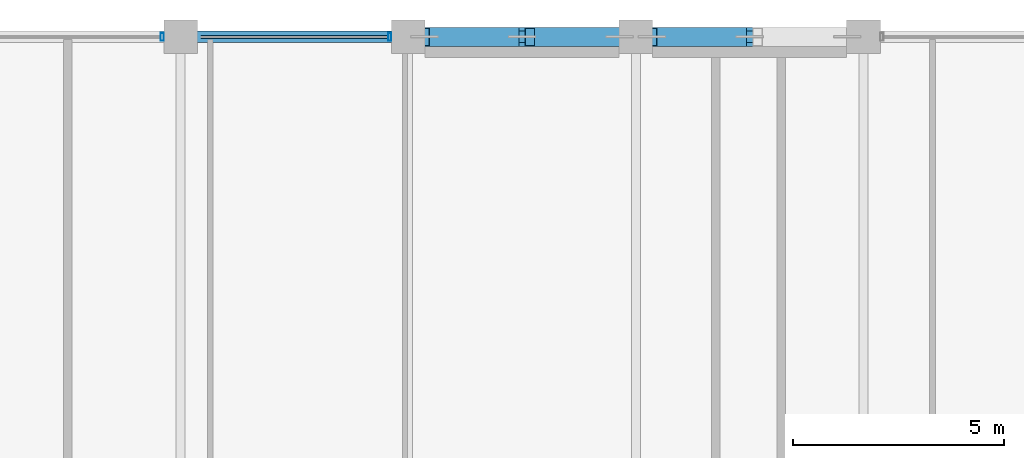
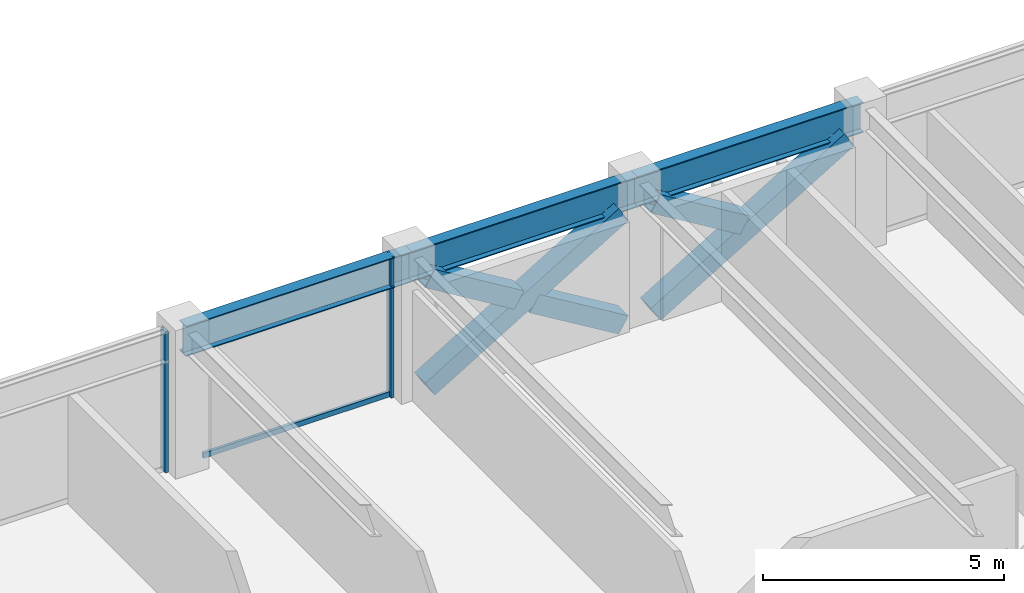
# One storey, part 20 of 32: 8 members, 3 beams, 1 element without a shape of its own.
"""IFC4 building model written with IfcOpenShell, lengths in metres."""

from ifc_helpers import new_model, si_unit, direction, frame, origin, origin_2d, place, context, subcontext, project, spatial, hollow_rectangle, i_section, extrude, material, layer, layer_set, material_profile, profile_set, type_object, element, aggregate, save


model = new_model("IFC4")

# Units and contexts
model_context = context("Model", 3, precision=1e-05, world=origin(), true_north=direction((0.0, 1.0)))
body_context = subcontext(model_context, "Body", "Model", "MODEL_VIEW")
ifc_project = project(units=[si_unit("LENGTHUNIT", "METRE"), si_unit("AREAUNIT", "SQUARE_METRE"), si_unit("VOLUMEUNIT", "CUBIC_METRE"), si_unit("PLANEANGLEUNIT", "RADIAN"), si_unit("MASSUNIT", "GRAM", prefix="KILO")], contexts=[model_context])

# Site, building, storey
site_placement = place(None, origin())
site = spatial("IfcSite", under=ifc_project, at=site_placement, CompositionType="ELEMENT")
building_placement = place(site_placement, origin())
building = spatial("IfcBuilding", under=site, at=building_placement, Name="Surkhivell Harbour Commons", CompositionType="ELEMENT")
storey_placement = place(building_placement, frame((0.0, 0.0, 234.75)))
storey = spatial("IfcBuildingStorey", under=building, at=storey_placement, Name="L61", CompositionType="ELEMENT", Elevation=234.75)

# Beams
ifc_material_1 = material(Name="Steel S355", Category="steel")
ifc_material_profile_1 = material_profile(ifc_material_1, i_section(OverallWidth=0.26806640625, OverallDepth=0.77001953125, WebThickness=0.015625, FlangeThickness=0.025390625, at=origin_2d()), Name="UB762x267x197")
ifc_profile_set_1 = profile_set([ifc_material_profile_1], Name="Steel S355")
beam_type = type_object("IfcBeamType", Name="BM-SPN-762", PredefinedType="SPANDREL", material=ifc_profile_set_1)
beam_placement = place(storey_placement, frame((-10.800048828125, 25.89990234375, 3.18505859375), z_axis=(1.0, 0.0, 0.0), x_axis=(0.0, 1.0, 0.0)))
element("IfcBeam", 1, at=beam_placement, inside=storey, type_object=beam_type, Name="L61 Tube Spandrel (-10.8,25.9)", PredefinedType="SPANDREL", context=body_context, shape_type="SweptSolid", body=[
    extrude(i_section(OverallWidth=0.26806640625, OverallDepth=0.77001953125, WebThickness=0.015625, FlangeThickness=0.025390625, at=origin_2d()), origin(), (0.0, 0.0, 1.0), 5.400146484375),
])
for number, where, z_axis, x_axis, name in (
    (2, (-5.39990234375, 25.89990234375, 3.18505859375), (1.0, 0.0, 0.0), (0.0, 1.0, 0.0), "L61 Tube Spandrel (-5.4,25.9)"),
    (3, (0.0, 25.89990234375, 3.18505859375), (1.0, 0.0, 0.0), (0.0, 1.0, 0.0), "L61 Tube Spandrel (-0.0,25.9)"),
):
    element("IfcBeam", number, at=place(storey_placement, frame(where, z_axis=z_axis, x_axis=x_axis)), inside=storey, type_object=beam_type, Name=name, PredefinedType="SPANDREL", context=body_context, shape_type="SweptSolid", body=[
        extrude(i_section(OverallWidth=0.26806640625, OverallDepth=0.77001953125, WebThickness=0.015625, FlangeThickness=0.025390625, at=origin_2d()), origin(), (0.0, 0.0, 1.0), 5.39990234375),
    ])

# Curtain wall, members
ifc_material_2 = material(Name="Anodised pale-metal aluminium and insulated glazing", Category="aluminium")
ifc_layer = layer(ifc_material_2, 0.18994140625)
ifc_layer_set = layer_set([ifc_layer], Name="Anodised pale-metal aluminium and insulated glazing")
curtain_wall_type = type_object("IfcCurtainWallType", Name="CW-SYS-Z3", PredefinedType="NOTDEFINED", material=ifc_layer_set)
curtain_wall_placement = place(storey_placement, origin())
curtain_wall = element("IfcCurtainWall", 4, at=curtain_wall_placement, inside=storey, type_object=curtain_wall_type, Name="L61 Curtain Wall CW-L61-E07S2", PredefinedType="NOTDEFINED")
ifc_material_3 = material(Name="Anodised pale-metal aluminium alloy 6063-T6", Category="aluminium")
ifc_material_profile_2 = material_profile(ifc_material_3, hollow_rectangle(XDim=0.074951171875, YDim=0.18994140625, WallThickness=0.00390625, at=origin_2d()), Name="ALU-MULL-75x190")
ifc_profile_set_2 = profile_set([ifc_material_profile_2], Name="Anodised pale-metal aluminium alloy 6063-T6")
member_type_1 = type_object("IfcMemberType", Name="CWM-190", PredefinedType="MULLION", material=ifc_profile_set_2)
member_1_placement = place(storey_placement, frame((-5.839599609375, 25.89990234375, 0.0), z_axis=(0.0, 0.0, 1.0), x_axis=(-1.0, 0.0, 0.0)))
member_1 = element("IfcMember", 5, at=member_1_placement, type_object=member_type_1, Name="CW-Z3 mullion 1", PredefinedType="MULLION", context=body_context, shape_type="SweptSolid", body=[
    extrude(hollow_rectangle(XDim=0.074951171875, YDim=0.18994140625, WallThickness=0.00390625, at=origin_2d()), origin(), (0.0, 0.0, 1.0), 3.570068359375),
])
member_2_placement = place(storey_placement, frame((-11.239501953125, 25.89990234375, 0.0), z_axis=(0.0, 0.0, 1.0), x_axis=(-1.0, 0.0, 0.0)))
member_2 = element("IfcMember", 6, at=member_2_placement, type_object=member_type_1, Name="CW-Z3 mullion 2", PredefinedType="MULLION", context=body_context, shape_type="SweptSolid", body=[
    extrude(hollow_rectangle(XDim=0.074951171875, YDim=0.18994140625, WallThickness=0.00390625, at=origin_2d()), origin(), (0.0, 0.0, 1.0), 3.570068359375),
])
ifc_material_4 = material(Name="Champagne anodised aluminium alloy 6063-T6", Category="aluminium")
ifc_material_profile_3 = material_profile(ifc_material_4, hollow_rectangle(XDim=0.070068359375, YDim=0.1298828125, WallThickness=0.00341796875, at=origin_2d()), Name="ALU-TRAN-70x130")
ifc_profile_set_3 = profile_set([ifc_material_profile_3], Name="Champagne anodised aluminium alloy 6063-T6")
member_type_2 = type_object("IfcMemberType", Name="CWT-130", PredefinedType="USERDEFINED", material=ifc_profile_set_3)
member_3_placement = place(storey_placement, frame((-5.876953125, 25.89990234375, 0.06494140625), z_axis=(-1.0, 0.0, 0.0), x_axis=(0.0, -1.0, 0.0)))
member_3 = element("IfcMember", 7, at=member_3_placement, type_object=member_type_2, Name="CW-Z3 transom 1.1", ObjectType="TRANSOM", PredefinedType="USERDEFINED", context=body_context, shape_type="SweptSolid", body=[
    extrude(hollow_rectangle(XDim=0.070068359375, YDim=0.1298828125, WallThickness=0.00341796875, at=origin_2d()), origin(), (0.0, 0.0, 1.0), 4.446044921875),
])
aggregate(curtain_wall, [member_1, member_3, member_2])

# Members
ifc_material_5 = material(Name="Steel S460", Category="steel")
ifc_material_profile_4 = material_profile(ifc_material_5, hollow_rectangle(XDim=0.449951171875, YDim=0.449951171875, WallThickness=0.02197265625, at=origin_2d()), Name="SHS450x450x22")
ifc_profile_set_4 = profile_set([ifc_material_profile_4], Name="Steel S460")
member_type_3 = type_object("IfcMemberType", Name="MEM-BRC-SHS450", PredefinedType="BRACE", material=ifc_profile_set_4)
member_4_placement = place(storey_placement, frame((-5.014892578125, 25.89990234375, 0.008056640625), z_axis=(0.856023742961, 0.0, 0.516936506243), x_axis=(0.0, 1.0, 0.0)))
element("IfcMember", 8, at=member_4_placement, inside=storey, type_object=member_type_3, Name="L61 Perimeter Mega-Brace MB- 01", PredefinedType="BRACE", context=body_context, shape_type="SweptSolid", body=[
    extrude(hollow_rectangle(XDim=0.449951171875, YDim=0.449951171875, WallThickness=0.02197265625, at=origin_2d()), origin(), (0.0, 0.0, 1.0), 5.40869140625),
])
for number, where, z_axis, x_axis, name in (
    (9, (-0.385009765625, 25.89990234375, 0.008056640625), (-0.856061168755, 0.0, 0.516874525731), (0.0, -1.0, 0.0), "L61 Perimeter Mega-Brace MB- 02"),
    (10, (-2.885009765625, 25.89990234375, 1.517578125), (-0.855991532151, 0.0, 0.516989842149), (0.0, -1.0, 0.0), "L61 Perimeter Mega-Brace MB- 03"),
):
    element("IfcMember", number, at=place(storey_placement, frame(where, z_axis=z_axis, x_axis=x_axis)), inside=storey, type_object=member_type_3, Name=name, PredefinedType="BRACE", context=body_context, shape_type="SweptSolid", body=[
        extrude(hollow_rectangle(XDim=0.449951171875, YDim=0.449951171875, WallThickness=0.02197265625, at=origin_2d()), origin(), (0.0, 0.0, 1.0), 2.48828125),
    ])
member_5_placement = place(storey_placement, frame((0.385009765625, 25.89990234375, 0.008056640625), z_axis=(0.856023742961, 0.0, 0.516936506243), x_axis=(0.0, 1.0, 0.0)))
element("IfcMember", 11, at=member_5_placement, inside=storey, type_object=member_type_3, Name="L61 Perimeter Mega-Brace MB- 04", PredefinedType="BRACE", context=body_context, shape_type="SweptSolid", body=[
    extrude(hollow_rectangle(XDim=0.449951171875, YDim=0.449951171875, WallThickness=0.02197265625, at=origin_2d()), origin(), (0.0, 0.0, 1.0), 5.40869140625),
])
member_6_placement = place(storey_placement, frame((2.51513671875, 25.89990234375, 1.517578125), z_axis=(-0.856017753989, 0.0, 0.516946423584), x_axis=(0.0, -1.0, 0.0)))
element("IfcMember", 12, at=member_6_placement, inside=storey, type_object=member_type_3, Name="L61 Perimeter Mega-Brace MB- 06", PredefinedType="BRACE", context=body_context, shape_type="SweptSolid", body=[
    extrude(hollow_rectangle(XDim=0.449951171875, YDim=0.449951171875, WallThickness=0.02197265625, at=origin_2d()), origin(), (0.0, 0.0, 1.0), 2.488525390625),
])

save(model, "model.ifc")
